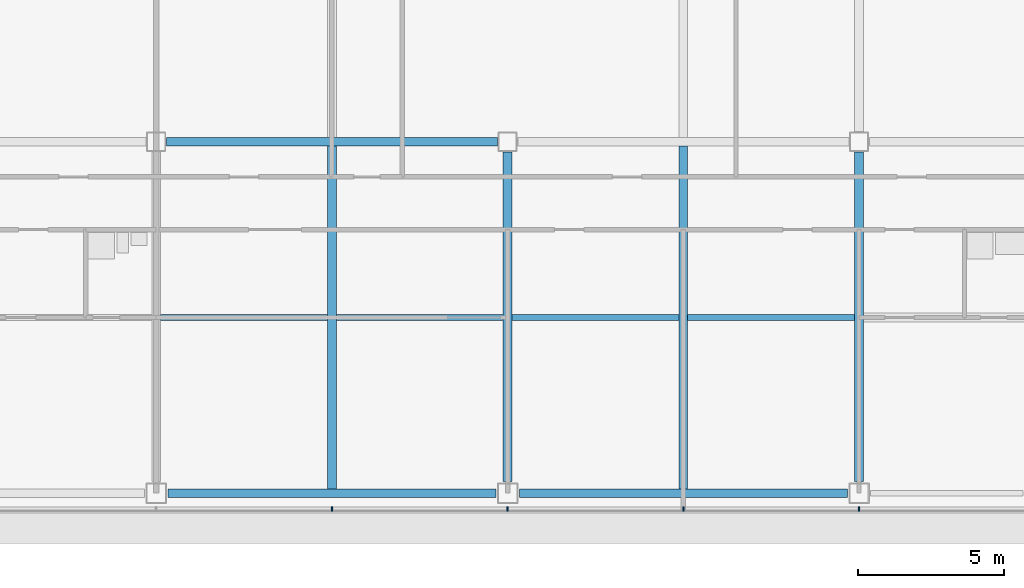
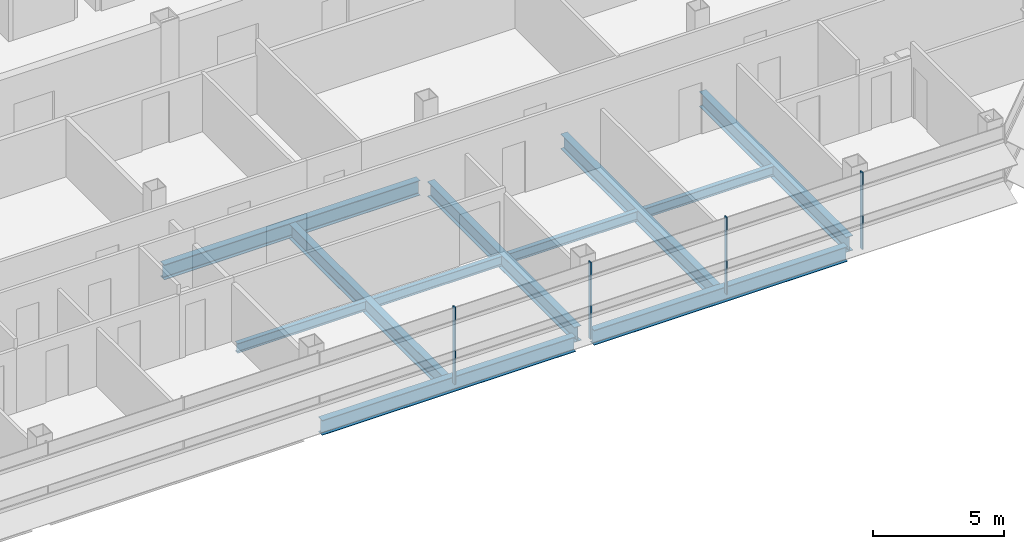
# One storey, part 8 of 26: 11 beams, 4 members, 1 element without a shape of its own.
"""IFC4 building model written with IfcOpenShell, lengths in metres."""

from ifc_helpers import new_model, si_unit, direction, frame, origin, origin_2d, place, context, subcontext, project, spatial, rectangle, i_section, extrude, material, material_profile, profile_set, type_object, element, aggregate, save


model = new_model("IFC4")

# Units and contexts
model_context = context("Model", 3, precision=1e-05, world=origin(), true_north=direction((0.0, 1.0)))
body_context = subcontext(model_context, "Body", "Model", "MODEL_VIEW")
ifc_project = project(units=[si_unit("LENGTHUNIT", "METRE"), si_unit("AREAUNIT", "SQUARE_METRE"), si_unit("VOLUMEUNIT", "CUBIC_METRE"), si_unit("PLANEANGLEUNIT", "RADIAN"), si_unit("MASSUNIT", "GRAM", prefix="KILO")], contexts=[model_context])

# Site, building, storey
site_placement = place(None, origin())
site = spatial("IfcSite", under=ifc_project, at=site_placement, CompositionType="ELEMENT")
building_placement = place(site_placement, origin())
building = spatial("IfcBuilding", under=site, at=building_placement, Name="Sorahane Residences", CompositionType="ELEMENT")
storey_placement = place(building_placement, frame((0.0, 0.0, 147.39990234375)))
storey = spatial("IfcBuildingStorey", under=building, at=storey_placement, Name="L33", CompositionType="ELEMENT", Elevation=147.39990234375)

# Curtain wall, members
ifc_material_1 = material(Name="Dark low-e glass and black anodised aluminium", Category="aluminium")
curtain_wall_type = type_object("IfcCurtainWallType", Name="Curtain wall CW-1 Typical unitised wall", PredefinedType="NOTDEFINED", material=ifc_material_1)
curtain_wall_placement = place(storey_placement, origin())
curtain_wall = element("IfcCurtainWall", 1, at=curtain_wall_placement, inside=storey, type_object=curtain_wall_type, Name="CW-1 curtain wall L33 S1", PredefinedType="NOTDEFINED")
ifc_material_2 = material(Name="Black anodised aluminium", Category="aluminium")
ifc_material_profile_1 = material_profile(ifc_material_2, rectangle(XDim=0.159912109375, YDim=0.050048828125, at=origin_2d()), Name="Curtain wall mullion CW-1 black anodised aluminium 50x160")
ifc_profile_set_1 = profile_set([ifc_material_profile_1], Name="Black anodised aluminium")
member_type = type_object("IfcMemberType", Name="Curtain wall mullion CW-1 black anodised aluminium 50x160", PredefinedType="MULLION", material=ifc_profile_set_1)
member_1_placement = place(storey_placement, frame((30.0, -0.5400390625, -0.179931640625), z_axis=(0.0, 0.0, 1.0), x_axis=(0.0, -1.0, 0.0)))
member_1 = element("IfcMember", 2, at=member_1_placement, type_object=member_type, Name="CW-1 mullion L33 S1.6", PredefinedType="MULLION", context=body_context, shape_type="SweptSolid", body=[
    extrude(rectangle(XDim=0.159912109375, YDim=0.050048828125, at=origin_2d()), origin(), (0.0, 0.0, 1.0), 3.60009765625),
])
member_2_placement = place(storey_placement, frame((36.0, -0.5400390625, -0.179931640625), z_axis=(0.0, 0.0, 1.0), x_axis=(0.0, -1.0, 0.0)))
member_2 = element("IfcMember", 3, at=member_2_placement, type_object=member_type, Name="CW-1 mullion L33 S1.7", PredefinedType="MULLION", context=body_context, shape_type="SweptSolid", body=[
    extrude(rectangle(XDim=0.159912109375, YDim=0.050048828125, at=origin_2d()), origin(), (0.0, 0.0, 1.0), 3.60009765625),
])
member_3_placement = place(storey_placement, frame((42.0, -0.5400390625, -0.179931640625), z_axis=(0.0, 0.0, 1.0), x_axis=(0.0, -1.0, 0.0)))
member_3 = element("IfcMember", 4, at=member_3_placement, type_object=member_type, Name="CW-1 mullion L33 S1.8", PredefinedType="MULLION", context=body_context, shape_type="SweptSolid", body=[
    extrude(rectangle(XDim=0.159912109375, YDim=0.050048828125, at=origin_2d()), origin(), (0.0, 0.0, 1.0), 3.60009765625),
])
member_4_placement = place(storey_placement, frame((48.0, -0.5400390625, -0.179931640625), z_axis=(0.0, 0.0, 1.0), x_axis=(0.0, -1.0, 0.0)))
member_4 = element("IfcMember", 5, at=member_4_placement, type_object=member_type, Name="CW-1 mullion L33 S1.9", PredefinedType="MULLION", context=body_context, shape_type="SweptSolid", body=[
    extrude(rectangle(XDim=0.159912109375, YDim=0.050048828125, at=origin_2d()), origin(), (0.0, 0.0, 1.0), 3.60009765625),
])
aggregate(curtain_wall, [member_1, member_2, member_3, member_4])

# Beams
ifc_material_3 = material(Name="Steel Q355B", Category="steel")
ifc_material_profile_2 = material_profile(ifc_material_3, i_section(OverallWidth=0.199951171875, OverallDepth=0.449951171875, WebThickness=0.009033203125, FlangeThickness=0.013916015625, FilletRadius=0.02001953125, at=origin_2d()), Name="HN 450x200x9x14")
ifc_profile_set_2 = profile_set([ifc_material_profile_2], Name="Steel Q355B")
beam_type_1 = type_object("IfcBeamType", Name="Steel floor beam HN 450x200x9x14 Q355B", PredefinedType="BEAM", material=ifc_profile_set_2)
for number, where, z_axis, x_axis, name in (
    (6, (24.14990234375, 6.0, -0.40478515625), (1.0, 0.0, 0.0), (0.0, 1.0, 0.0), "Beam L33 073"),
    (7, (30.14990234375, 6.0, -0.40478515625), (1.0, 0.0, 0.0), (0.0, 1.0, 0.0), "Beam L33 074"),
    (8, (36.14990234375, 6.0, -0.40478515625), (1.0, 0.0, 0.0), (0.0, 1.0, 0.0), "Beam L33 075"),
    (9, (42.14990234375, 6.0, -0.40478515625), (1.0, 0.0, 0.0), (0.0, 1.0, 0.0), "Beam L33 076"),
):
    element("IfcBeam", number, at=place(storey_placement, frame(where, z_axis=z_axis, x_axis=x_axis)), inside=storey, type_object=beam_type_1, Name=name, PredefinedType="BEAM", context=body_context, shape_type="SweptSolid", body=[
        extrude(i_section(OverallWidth=0.199951171875, OverallDepth=0.449951171875, WebThickness=0.009033203125, FlangeThickness=0.013916015625, FilletRadius=0.02001953125, at=origin_2d()), origin(), (0.0, 0.0, 1.0), 5.7001953125),
    ])
ifc_material_4 = material(Name="Steel Q355B", Category="steel")
ifc_material_profile_3 = material_profile(ifc_material_4, i_section(OverallWidth=0.300048828125, OverallDepth=0.699951171875, WebThickness=0.012939453125, FlangeThickness=0.02392578125, FilletRadius=0.028076171875, at=origin_2d()), Name="HN 700x300x13x24")
ifc_profile_set_3 = profile_set([ifc_material_profile_3], Name="Steel Q355B")
beam_type_2 = type_object("IfcBeamType", Name="Steel floor beam HN 700x300x13x24 Q355B", PredefinedType="BEAM", material=ifc_profile_set_3)
for number, where, z_axis, x_axis, name in (
    (10, (24.39990234375, 0.0, -0.52978515625), (1.0, 0.0, 0.0), (0.0, 1.0, 0.0), "Beam L33 002"),
    (11, (36.39990234375, 0.0, -0.52978515625), (1.0, 0.0, 0.0), (0.0, 1.0, 0.0), "Beam L33 003"),
):
    element("IfcBeam", number, at=place(storey_placement, frame(where, z_axis=z_axis, x_axis=x_axis)), inside=storey, type_object=beam_type_2, Name=name, PredefinedType="BEAM", context=body_context, shape_type="SweptSolid", body=[
        extrude(i_section(OverallWidth=0.300048828125, OverallDepth=0.699951171875, WebThickness=0.012939453125, FlangeThickness=0.02392578125, FilletRadius=0.028076171875, at=origin_2d()), origin(), (0.0, 0.0, 1.0), 11.2001953125),
    ])
beam_1_placement = place(storey_placement, frame((24.35009765625, 12.0, -0.52978515625), z_axis=(1.0, 0.0, 0.0), x_axis=(0.0, 1.0, 0.0)))
element("IfcBeam", 12, at=beam_1_placement, inside=storey, type_object=beam_type_2, Name="Beam L33 008", PredefinedType="BEAM", context=body_context, shape_type="SweptSolid", body=[
    extrude(i_section(OverallWidth=0.300048828125, OverallDepth=0.699951171875, WebThickness=0.012939453125, FlangeThickness=0.02392578125, FilletRadius=0.028076171875, at=origin_2d()), origin(), (0.0, 0.0, 1.0), 11.2998046875),
])
beam_2_placement = place(storey_placement, frame((30.0, 0.14990234375, -0.52978515625), z_axis=(0.0, 1.0, 0.0), x_axis=(-1.0, 0.0, 0.0)))
element("IfcBeam", 13, at=beam_2_placement, inside=storey, type_object=beam_type_2, Name="Beam L33 044", PredefinedType="BEAM", context=body_context, shape_type="SweptSolid", body=[
    extrude(i_section(OverallWidth=0.300048828125, OverallDepth=0.699951171875, WebThickness=0.012939453125, FlangeThickness=0.02392578125, FilletRadius=0.028076171875, at=origin_2d()), origin(), (0.0, 0.0, 1.0), 11.7001953125),
])
beam_3_placement = place(storey_placement, frame((36.0, 0.39990234375, -0.52978515625), z_axis=(0.0, 1.0, 0.0), x_axis=(-1.0, 0.0, 0.0)))
element("IfcBeam", 14, at=beam_3_placement, inside=storey, type_object=beam_type_2, Name="Beam L33 050", PredefinedType="BEAM", context=body_context, shape_type="SweptSolid", body=[
    extrude(i_section(OverallWidth=0.300048828125, OverallDepth=0.699951171875, WebThickness=0.012939453125, FlangeThickness=0.02392578125, FilletRadius=0.028076171875, at=origin_2d()), origin(), (0.0, 0.0, 1.0), 11.25),
])
beam_4_placement = place(storey_placement, frame((42.0, 0.14990234375, -0.52978515625), z_axis=(0.0, 1.0, 0.0), x_axis=(-1.0, 0.0, 0.0)))
element("IfcBeam", 15, at=beam_4_placement, inside=storey, type_object=beam_type_2, Name="Beam L33 052", PredefinedType="BEAM", context=body_context, shape_type="SweptSolid", body=[
    extrude(i_section(OverallWidth=0.300048828125, OverallDepth=0.699951171875, WebThickness=0.012939453125, FlangeThickness=0.02392578125, FilletRadius=0.028076171875, at=origin_2d()), origin(), (0.0, 0.0, 1.0), 11.7001953125),
])
beam_5_placement = place(storey_placement, frame((48.0, 0.39990234375, -0.52978515625), z_axis=(0.0, 1.0, 0.0), x_axis=(-1.0, 0.0, 0.0)))
element("IfcBeam", 16, at=beam_5_placement, inside=storey, type_object=beam_type_2, Name="Beam L33 058", PredefinedType="BEAM", context=body_context, shape_type="SweptSolid", body=[
    extrude(i_section(OverallWidth=0.300048828125, OverallDepth=0.699951171875, WebThickness=0.012939453125, FlangeThickness=0.02392578125, FilletRadius=0.028076171875, at=origin_2d()), origin(), (0.0, 0.0, 1.0), 11.25),
])

save(model, "model.ifc")
